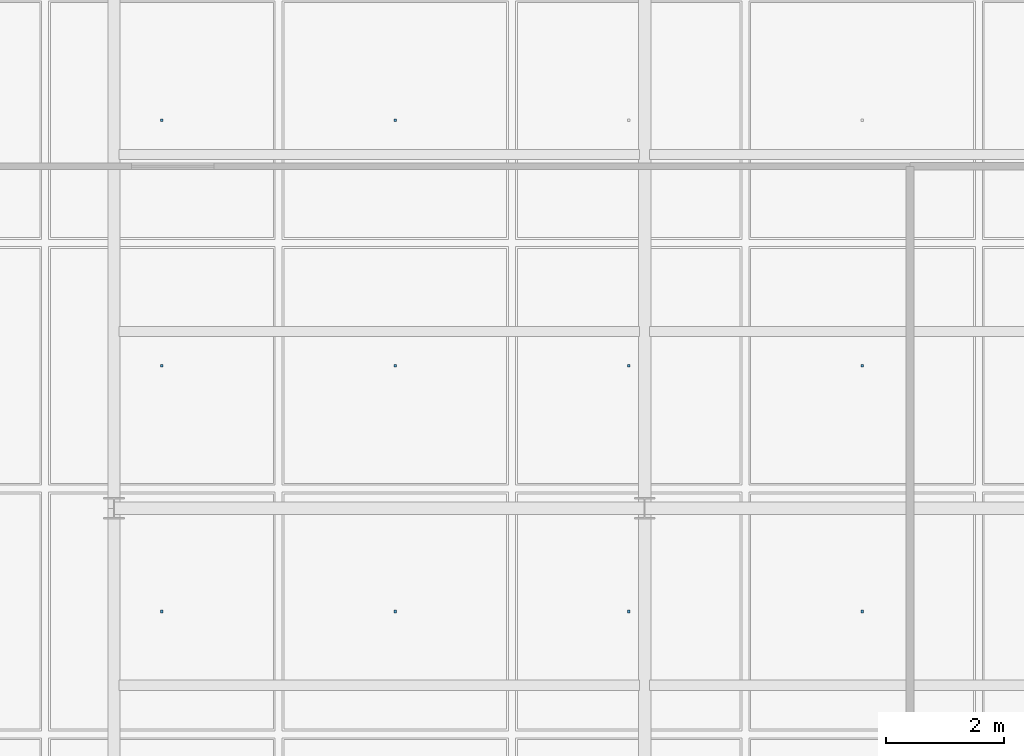
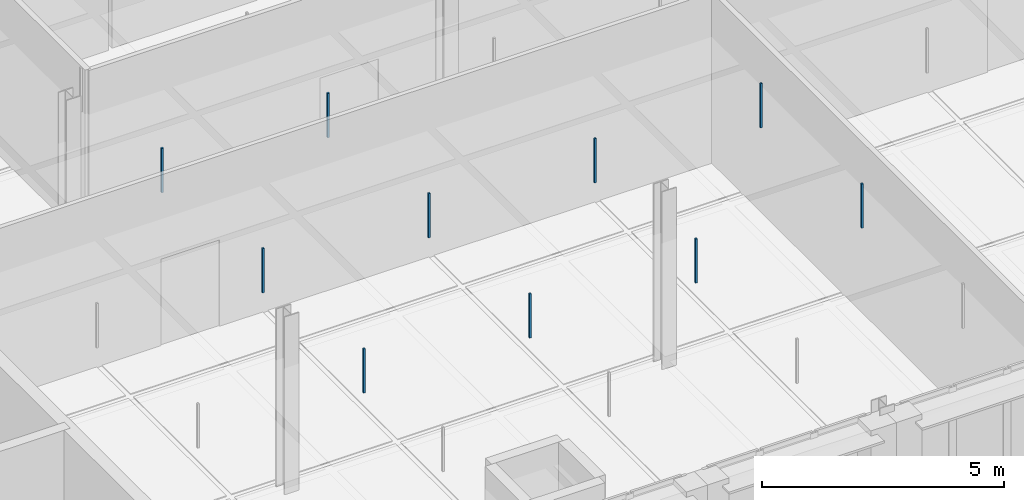
# One storey, part 111 of 130: 10 discrete accessories.
"""IFC4 building model written with IfcOpenShell, lengths in metres."""

from ifc_helpers import new_model, si_unit, direction, frame, origin, origin_2d, place, context, subcontext, project, spatial, rectangle, extrude, material, type_object, element, save


model = new_model("IFC4")

# Units and contexts
model_context = context("Model", 3, precision=1e-05, world=origin(), true_north=direction((0.0, 1.0)))
body_context = subcontext(model_context, "Body", "Model", "MODEL_VIEW")
ifc_project = project(units=[si_unit("LENGTHUNIT", "METRE"), si_unit("AREAUNIT", "SQUARE_METRE"), si_unit("VOLUMEUNIT", "CUBIC_METRE"), si_unit("PLANEANGLEUNIT", "RADIAN"), si_unit("MASSUNIT", "GRAM", prefix="KILO"), si_unit("THERMODYNAMICTEMPERATUREUNIT", "KELVIN"), si_unit("POWERUNIT", "WATT")], contexts=[model_context])

# Site, building, storey
site_placement = place(None, origin())
site = spatial("IfcSite", under=ifc_project, at=site_placement, CompositionType="ELEMENT")
building_placement = place(site_placement, origin())
building = spatial("IfcBuilding", under=site, at=building_placement, Name="Tallowbark Science Centre", CompositionType="ELEMENT")
storey_placement = place(building_placement, frame((0.0, 0.0, 5.39990234375)))
storey = spatial("IfcBuildingStorey", under=building, at=storey_placement, Name="L01", CompositionType="ELEMENT", Elevation=5.39990234375)

# Discrete accessories
ifc_material = material(Name="Galvanised Steel Grade C350L0 (350 MPa)", Category="steel")
discrete_accessory_type = type_object("IfcDiscreteAccessoryType", Name="ACC-CLG-HNG", PredefinedType="BRACKET", material=ifc_material)
for number, where, z_axis, x_axis, name in (
    (1, (131.3125, 79.25, 3.2060546875), (0.0, 0.0, 1.0), (1.0, 0.0, 0.0), "Ceiling Hanger Bracket L01-706"),
    (2, (131.3125, 83.416748046875, 3.2060546875), (0.0, 0.0, 1.0), (1.0, 0.0, 0.0), "Ceiling Hanger Bracket L01-707"),
    (3, (131.3125, 87.583251953125, 3.2060546875), (0.0, 0.0, 1.0), (1.0, 0.0, 0.0), "Ceiling Hanger Bracket L01-708"),
    (4, (135.270751953125, 79.25, 3.2060546875), (0.0, 0.0, 1.0), (1.0, 0.0, 0.0), "Ceiling Hanger Bracket L01-715"),
    (5, (135.270751953125, 83.416748046875, 3.2060546875), (0.0, 0.0, 1.0), (1.0, 0.0, 0.0), "Ceiling Hanger Bracket L01-716"),
    (6, (135.270751953125, 87.583251953125, 3.2060546875), (0.0, 0.0, 1.0), (1.0, 0.0, 0.0), "Ceiling Hanger Bracket L01-717"),
    (7, (139.229248046875, 79.25, 3.2060546875), (0.0, 0.0, 1.0), (1.0, 0.0, 0.0), "Ceiling Hanger Bracket L01-721"),
    (8, (139.229248046875, 83.416748046875, 3.2060546875), (0.0, 0.0, 1.0), (1.0, 0.0, 0.0), "Ceiling Hanger Bracket L01-722"),
    (9, (143.1875, 79.25, 3.2060546875), (0.0, 0.0, 1.0), (1.0, 0.0, 0.0), "Ceiling Hanger Bracket L01-727"),
    (10, (143.1875, 83.416748046875, 3.2060546875), (0.0, 0.0, 1.0), (1.0, 0.0, 0.0), "Ceiling Hanger Bracket L01-728"),
):
    element("IfcDiscreteAccessory", number, at=place(storey_placement, frame(where, z_axis=z_axis, x_axis=x_axis)), inside=storey, type_object=discrete_accessory_type, Name=name, PredefinedType="BRACKET", context=body_context, shape_type="SweptSolid", body=[
        extrude(rectangle(XDim=0.044921875, YDim=0.044921875, at=origin_2d()), origin(), (0.0, 0.0, 1.0), 1.116943359375),
    ])

save(model, "model.ifc")
